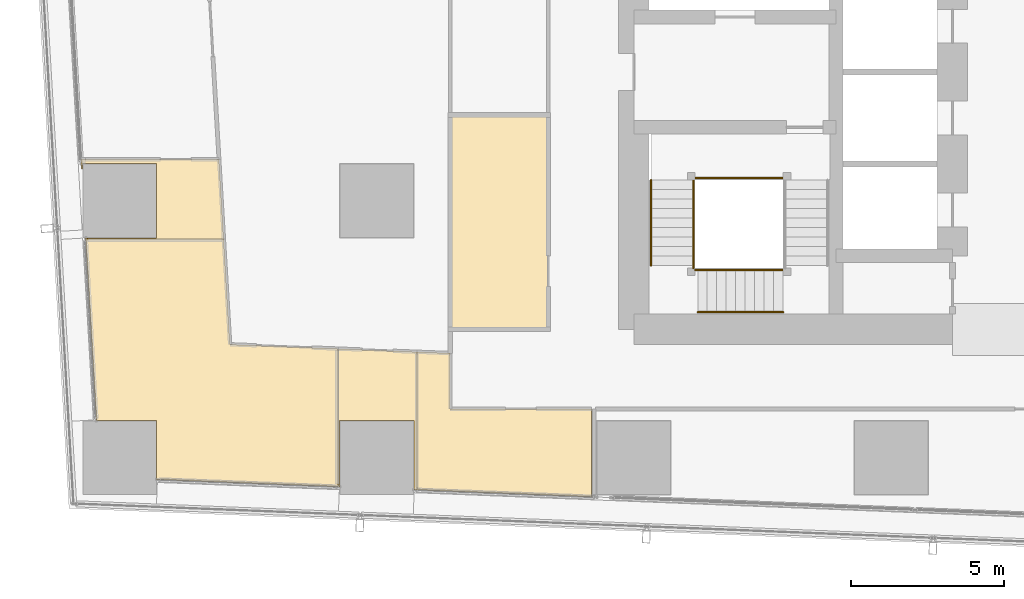
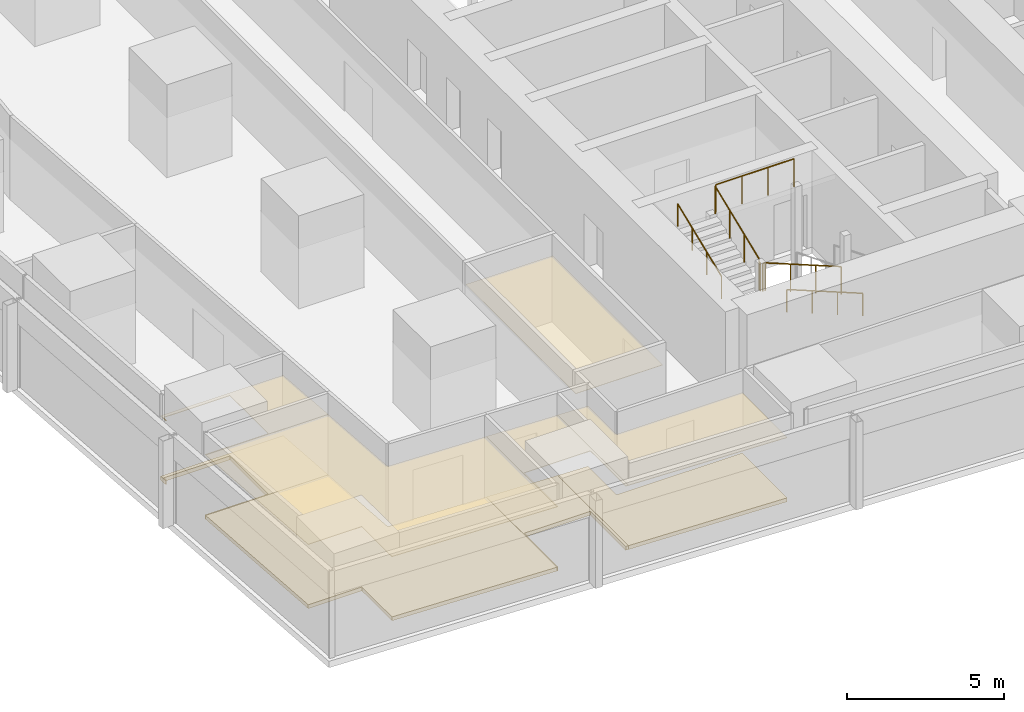
# One storey, part 27 of 34: 9 coverings, 7 railings.
"""IFC4 building model written with IfcOpenShell, lengths in metres."""

from ifc_helpers import new_model, si_unit, direction, frame, origin, origin_2d, place, context, subcontext, project, spatial, polyline, circle, outline, extrude, material, layer, layer_set, type_object, element, save


model = new_model("IFC4")

# Units and contexts
model_context = context("Model", 3, precision=1e-05, world=origin(), true_north=direction((0.0, 1.0)))
body_context = subcontext(model_context, "Body", "Model", "MODEL_VIEW")
ifc_project = project(units=[si_unit("LENGTHUNIT", "METRE"), si_unit("AREAUNIT", "SQUARE_METRE"), si_unit("VOLUMEUNIT", "CUBIC_METRE"), si_unit("PLANEANGLEUNIT", "RADIAN"), si_unit("MASSUNIT", "GRAM", prefix="KILO")], contexts=[model_context])

# Site, building, storey
site_placement = place(None, origin())
site = spatial("IfcSite", under=ifc_project, at=site_placement, CompositionType="ELEMENT")
building_placement = place(site_placement, origin())
building = spatial("IfcBuilding", under=site, at=building_placement, Name="Rekha Terrace Tower", CompositionType="ELEMENT")
storey_placement = place(building_placement, frame((0.0, 0.0, 236.449951171875)))
storey = spatial("IfcBuildingStorey", under=building, at=storey_placement, Name="L60", CompositionType="ELEMENT", Elevation=236.449951171875)

# Coverings
ifc_material_1 = material(Name="Mineral fibre tile in exposed grid", Category="finish")
ifc_layer_1 = layer(ifc_material_1, 0.02001953125)
ifc_layer_set_1 = layer_set([ifc_layer_1], Name="Mineral fibre tile in exposed grid")
covering_type_1 = type_object("IfcCoveringType", Name="CL1 600x1200 office grid ceiling", PredefinedType="CEILING", material=ifc_layer_set_1)
covering_1_placement = place(storey_placement, frame((0.0, 0.0, 2.47998046875)))
element("IfcCovering", 1, at=covering_1_placement, inside=storey, type_object=covering_type_1, Name="Ceiling L60-10", PredefinedType="CEILING", context=body_context, shape_type="SweptSolid", body=[
    extrude(outline(polyline([(9.614990234375, 23.985107421875), (7.29296875, 23.985107421875), (7.294921875, 23.943115234375), (11.802001953125, 23.943115234375), (11.64892578125, 26.5458984375), (7.14111328125, 26.5458984375), (7.158935546875, 26.23388671875), (7.18505859375, 26.235107421875), (7.18505859375, 26.4150390625), (9.614990234375, 26.4150390625), (9.614990234375, 23.985107421875)])), origin(), (0.0, 0.0, 1.0), 0.02001953125),
])
covering_2_placement = place(storey_placement, frame((0.0, 0.0, 2.47998046875)))
element("IfcCovering", 2, at=covering_2_placement, inside=storey, type_object=covering_type_1, Name="Ceiling L60-11", PredefinedType="CEILING", context=body_context, shape_type="SweptSolid", body=[
    extrude(outline(polyline([(9.614990234375, 16.096923828125), (15.54296875, 15.860107421875), (15.54296875, 20.364013671875), (12.0048828125, 20.5048828125), (11.802001953125, 23.94189453125), (7.294921875, 23.94189453125), (7.64404296875, 18.014892578125), (9.614990234375, 18.014892578125), (9.614990234375, 16.096923828125)])), origin(), (0.0, 0.0, 1.0), 0.02001953125),
])
covering_3_placement = place(storey_placement, frame((0.0, 0.0, 2.47998046875)))
element("IfcCovering", 3, at=covering_3_placement, inside=storey, type_object=covering_type_1, Name="Ceiling L60-12", PredefinedType="CEILING", context=body_context, shape_type="SweptSolid", body=[
    extrude(outline(polyline([(18.014892578125, 18.014892578125), (18.014892578125, 15.761962890625), (18.10888671875, 15.758056640625), (18.10888671875, 20.260986328125), (15.5439453125, 20.364013671875), (15.5439453125, 15.860107421875), (15.5849609375, 15.85791015625), (15.5849609375, 18.014892578125), (18.014892578125, 18.014892578125)])), origin(), (0.0, 0.0, 1.0), 0.02001953125),
])
covering_4_placement = place(storey_placement, frame((0.0, 0.0, 2.47998046875)))
element("IfcCovering", 4, at=covering_4_placement, inside=storey, type_object=covering_type_1, Name="Ceiling L60-13", PredefinedType="CEILING", context=body_context, shape_type="SweptSolid", body=[
    extrude(outline(polyline([(23.81689453125, 15.530029296875), (23.81689453125, 18.39990234375), (19.199951171875, 18.39990234375), (19.199951171875, 20.218017578125), (18.110107421875, 20.260986328125), (18.110107421875, 15.758056640625), (23.81689453125, 15.530029296875)])), origin(), (0.0, 0.0, 1.0), 0.02001953125),
])
ifc_material_2 = material(Name="Fibre cement board", Category="finish")
ifc_layer_2 = layer(ifc_material_2, 0.014892578125)
ifc_layer_set_2 = layer_set([ifc_layer_2], Name="Fibre cement board")
covering_type_2 = type_object("IfcCoveringType", Name="CL2 moisture-resistant board ceiling", PredefinedType="CEILING", material=ifc_layer_set_2)
covering_5_placement = place(storey_placement, frame((0.0, 0.0, 2.485107421875)))
element("IfcCovering", 5, at=covering_5_placement, inside=storey, type_object=covering_type_2, Name="Ceiling L60-WCM", PredefinedType="CEILING", context=body_context, shape_type="SweptSolid", body=[
    extrude(outline(polyline([(22.39990234375, 28.0), (19.199951171875, 28.0), (19.199951171875, 21.0), (22.39990234375, 21.0), (22.39990234375, 28.0)])), origin(), (0.0, 0.0, 1.0), 0.014892578125),
])

# Railings
ifc_material_3 = material(Name="Stainless steel balustrade", Category="steel")
railing_type_1 = type_object("IfcRailingType", Name="GR1 1100 stair guard", PredefinedType="GUARDRAIL", material=ifc_material_3)
railing_1_placement = place(storey_placement, frame((30.074951171875, 22.93994140625, 1.375)))
element("IfcRailing", 6, at=railing_1_placement, inside=storey, type_object=railing_type_1, Name="Guard ST1 L60 flight 2", PredefinedType="GUARDRAIL", context=body_context, shape_type="SweptSolid", body=[
    extrude(circle(Radius=0.02392578125, at=origin_2d()), frame((0.0, 0.0, 1.076171875), z_axis=(-0.927443287984, 0.0, 0.373963831907), x_axis=(0.0, -1.0, 0.0)), (0.0, 0.0, 1.0), 3.00830078125),
    extrude(circle(Radius=0.02099609375, at=origin_2d()), origin(), (0.0, 0.0, 1.0), 1.052001953125),
    extrude(circle(Radius=0.02099609375, at=origin_2d()), frame((-0.929931640625, 0.0, 0.375)), (0.0, 0.0, 1.0), 1.052001953125),
    extrude(circle(Radius=0.02099609375, at=origin_2d()), frame((-1.860107421875, 0.0, 0.75)), (0.0, 0.0, 1.0), 1.052001953125),
    extrude(circle(Radius=0.02099609375, at=origin_2d()), frame((-2.7900390625, 0.0, 1.125)), (0.0, 0.0, 1.0), 1.052001953125),
])
railing_2_placement = place(storey_placement, frame((27.139892578125, 23.0849609375, 2.625)))
element("IfcRailing", 7, at=railing_2_placement, inside=storey, type_object=railing_type_1, Name="Guard ST1 L60 flight 3", PredefinedType="GUARDRAIL", context=body_context, shape_type="SweptSolid", body=[
    extrude(circle(Radius=0.02392578125, at=origin_2d()), frame((0.0, 0.0, 1.076171875), z_axis=(0.0, 0.927443287984, 0.373963831907), x_axis=(-1.0, 0.0, 0.0)), (0.0, 0.0, 1.0), 3.00830078125),
    extrude(circle(Radius=0.02099609375, at=origin_2d()), origin(), (0.0, 0.0, 1.0), 1.052001953125),
    extrude(circle(Radius=0.02099609375, at=origin_2d()), frame((0.0, 0.929931640625, 0.375)), (0.0, 0.0, 1.0), 1.052001953125),
    extrude(circle(Radius=0.02099609375, at=origin_2d()), frame((0.0, 1.860107421875, 0.75)), (0.0, 0.0, 1.0), 1.052001953125),
    extrude(circle(Radius=0.02099609375, at=origin_2d()), frame((0.0, 2.7900390625, 1.125)), (0.0, 0.0, 1.0), 1.052001953125),
])
railing_3_placement = place(storey_placement, frame((27.284912109375, 22.93994140625, 2.5)))
element("IfcRailing", 8, at=railing_3_placement, inside=storey, type_object=railing_type_1, Name="Guard ST1 L60 landing 2", PredefinedType="GUARDRAIL", context=body_context, shape_type="SweptSolid", body=[
    extrude(circle(Radius=0.02392578125, at=origin_2d()), frame((0.0, 0.0, 1.076171875), z_axis=(-1.0, 0.0, 0.0), x_axis=(0.0, -1.0, 0.0)), (0.0, 0.0, 1.0), 0.0849609375),
    extrude(circle(Radius=0.02099609375, at=origin_2d()), origin(), (0.0, 0.0, 1.0), 1.052001953125),
    extrude(circle(Radius=0.02099609375, at=origin_2d()), frame((-0.0849609375, 0.0, 0.0)), (0.0, 0.0, 1.0), 1.052001953125),
])
railing_4_placement = place(storey_placement, frame((27.139892578125, 23.0849609375, 2.5)))
element("IfcRailing", 9, at=railing_4_placement, inside=storey, type_object=railing_type_1, Name="Guard ST1 L60 landing 3", PredefinedType="GUARDRAIL", context=body_context, shape_type="SweptSolid", body=[
    extrude(circle(Radius=0.02392578125, at=origin_2d()), frame((0.0, 0.0, 1.076171875), z_axis=(0.0, -1.0, 0.0), x_axis=(1.0, 0.0, 0.0)), (0.0, 0.0, 1.0), 0.0849609375),
    extrude(circle(Radius=0.02099609375, at=origin_2d()), origin(), (0.0, 0.0, 1.0), 1.052001953125),
    extrude(circle(Radius=0.02099609375, at=origin_2d()), frame((0.0, -0.0849609375, 0.0)), (0.0, 0.0, 1.0), 1.052001953125),
])
railing_5_placement = place(storey_placement, frame((30.074951171875, 25.93505859375, 3.75)))
element("IfcRailing", 10, at=railing_5_placement, inside=storey, type_object=railing_type_1, Name="Guard ST1 L60 landing 4", PredefinedType="GUARDRAIL", context=body_context, shape_type="SweptSolid", body=[
    extrude(circle(Radius=0.02392578125, at=origin_2d()), frame((0.0, 0.0, 1.076171875), z_axis=(-1.0, 0.0, 0.0), x_axis=(0.0, -1.0, 0.0)), (0.0, 0.0, 1.0), 2.875),
    extrude(circle(Radius=0.02099609375, at=origin_2d()), origin(), (0.0, 0.0, 1.0), 1.052001953125),
    extrude(circle(Radius=0.02099609375, at=origin_2d()), frame((-0.958251953125, 0.0, 0.0)), (0.0, 0.0, 1.0), 1.052001953125),
    extrude(circle(Radius=0.02099609375, at=origin_2d()), frame((-1.916748046875, 0.0, 0.0)), (0.0, 0.0, 1.0), 1.052001953125),
    extrude(circle(Radius=0.02099609375, at=origin_2d()), frame((-2.875, 0.0, 0.0)), (0.0, 0.0, 1.0), 1.052001953125),
])
ifc_material_4 = material(Name="Stainless steel tube", Category="steel")
railing_type_2 = type_object("IfcRailingType", Name="HR1 900 stair handrail", PredefinedType="HANDRAIL", material=ifc_material_4)
railing_6_placement = place(storey_placement, frame((30.074951171875, 21.56005859375, 1.375)))
element("IfcRailing", 11, at=railing_6_placement, inside=storey, type_object=railing_type_2, Name="Handrail ST1 L60 flight 2", PredefinedType="HANDRAIL", context=body_context, shape_type="SweptSolid", body=[
    extrude(circle(Radius=0.02392578125, at=origin_2d()), frame((0.0, 0.0, 0.8759765625), z_axis=(-0.927443287984, 0.0, 0.373963831907), x_axis=(0.0, -1.0, 0.0)), (0.0, 0.0, 1.0), 3.00830078125),
    extrude(circle(Radius=0.02099609375, at=origin_2d()), origin(), (0.0, 0.0, 1.0), 0.851806640625),
    extrude(circle(Radius=0.02099609375, at=origin_2d()), frame((-0.929931640625, 0.0, 0.375)), (0.0, 0.0, 1.0), 0.851806640625),
    extrude(circle(Radius=0.02099609375, at=origin_2d()), frame((-1.860107421875, 0.0, 0.75)), (0.0, 0.0, 1.0), 0.851806640625),
    extrude(circle(Radius=0.02099609375, at=origin_2d()), frame((-2.7900390625, 0.0, 1.125)), (0.0, 0.0, 1.0), 0.851806640625),
])
railing_7_placement = place(storey_placement, frame((25.760009765625, 23.0849609375, 2.625)))
element("IfcRailing", 12, at=railing_7_placement, inside=storey, type_object=railing_type_2, Name="Handrail ST1 L60 flight 3", PredefinedType="HANDRAIL", context=body_context, shape_type="SweptSolid", body=[
    extrude(circle(Radius=0.02392578125, at=origin_2d()), frame((0.0, 0.0, 0.8759765625), z_axis=(0.0, 0.927443287984, 0.373963831907), x_axis=(-1.0, 0.0, 0.0)), (0.0, 0.0, 1.0), 3.00830078125),
    extrude(circle(Radius=0.02099609375, at=origin_2d()), origin(), (0.0, 0.0, 1.0), 0.851806640625),
    extrude(circle(Radius=0.02099609375, at=origin_2d()), frame((0.0, 0.929931640625, 0.375)), (0.0, 0.0, 1.0), 0.851806640625),
    extrude(circle(Radius=0.02099609375, at=origin_2d()), frame((0.0, 1.860107421875, 0.75)), (0.0, 0.0, 1.0), 0.851806640625),
    extrude(circle(Radius=0.02099609375, at=origin_2d()), frame((0.0, 2.7900390625, 1.125)), (0.0, 0.0, 1.0), 0.851806640625),
])

# Coverings
ifc_material_5 = material(Name="Calcium sulphate panels on steel pedestals", Category="steel")
ifc_layer_3 = layer(ifc_material_5, 0.14990234375)
ifc_layer_set_3 = layer_set([ifc_layer_3], Name="Calcium sulphate panels on steel pedestals")
covering_type_3 = type_object("IfcCoveringType", Name="RF1 150 raised access floor", PredefinedType="FLOORING", material=ifc_layer_set_3)
covering_6_placement = place(storey_placement, origin())
element("IfcCovering", 13, at=covering_6_placement, inside=storey, type_object=covering_type_3, Name="Raised floor L60-10", PredefinedType="FLOORING", context=body_context, shape_type="SweptSolid", body=[
    extrude(outline(polyline([(9.614990234375, 23.985107421875), (7.29296875, 23.985107421875), (7.294921875, 23.943115234375), (11.802001953125, 23.943115234375), (11.64892578125, 26.5458984375), (7.14111328125, 26.5458984375), (7.158935546875, 26.23388671875), (7.18505859375, 26.235107421875), (7.18505859375, 26.4150390625), (9.614990234375, 26.4150390625), (9.614990234375, 23.985107421875)])), origin(), (0.0, 0.0, 1.0), 0.150146484375),
])
covering_7_placement = place(storey_placement, origin())
element("IfcCovering", 14, at=covering_7_placement, inside=storey, type_object=covering_type_3, Name="Raised floor L60-11", PredefinedType="FLOORING", context=body_context, shape_type="SweptSolid", body=[
    extrude(outline(polyline([(9.614990234375, 16.096923828125), (15.54296875, 15.860107421875), (15.54296875, 20.364013671875), (12.0048828125, 20.5048828125), (11.802001953125, 23.94189453125), (7.294921875, 23.94189453125), (7.64404296875, 18.014892578125), (9.614990234375, 18.014892578125), (9.614990234375, 16.096923828125)])), origin(), (0.0, 0.0, 1.0), 0.150146484375),
])
covering_8_placement = place(storey_placement, origin())
element("IfcCovering", 15, at=covering_8_placement, inside=storey, type_object=covering_type_3, Name="Raised floor L60-12", PredefinedType="FLOORING", context=body_context, shape_type="SweptSolid", body=[
    extrude(outline(polyline([(18.014892578125, 18.014892578125), (18.014892578125, 15.761962890625), (18.10888671875, 15.758056640625), (18.10888671875, 20.260986328125), (15.5439453125, 20.364013671875), (15.5439453125, 15.860107421875), (15.5849609375, 15.85791015625), (15.5849609375, 18.014892578125), (18.014892578125, 18.014892578125)])), origin(), (0.0, 0.0, 1.0), 0.150146484375),
])
covering_9_placement = place(storey_placement, origin())
element("IfcCovering", 16, at=covering_9_placement, inside=storey, type_object=covering_type_3, Name="Raised floor L60-13", PredefinedType="FLOORING", context=body_context, shape_type="SweptSolid", body=[
    extrude(outline(polyline([(23.81689453125, 15.530029296875), (23.81689453125, 18.39990234375), (19.199951171875, 18.39990234375), (19.199951171875, 20.218017578125), (18.110107421875, 20.260986328125), (18.110107421875, 15.758056640625), (23.81689453125, 15.530029296875)])), origin(), (0.0, 0.0, 1.0), 0.150146484375),
])

save(model, "model.ifc")
